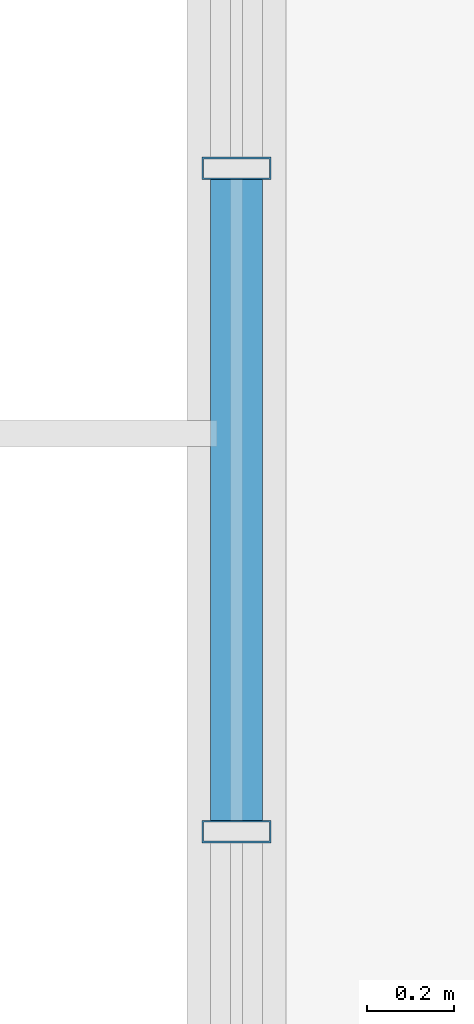
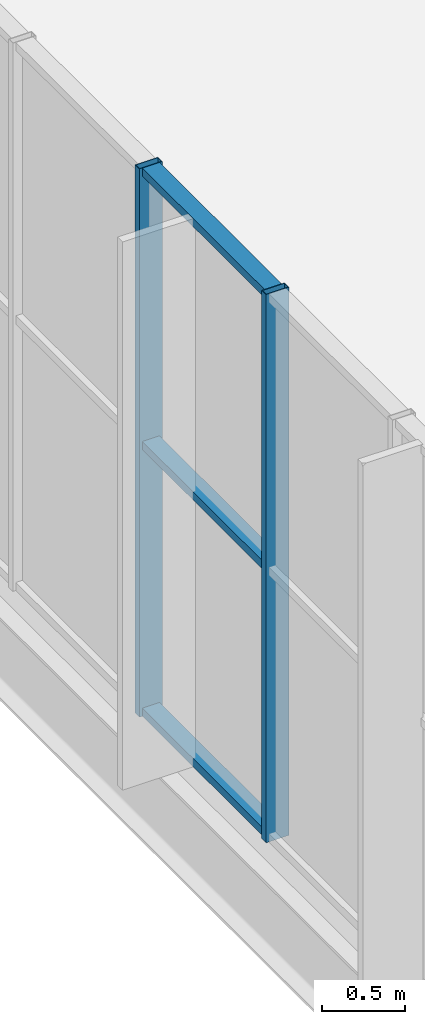
# One storey, part 42 of 324: 5 members, 1 element without a shape of its own.
"""IFC4 building model written with IfcOpenShell, lengths in metres."""

from ifc_helpers import new_model, si_unit, direction, frame, origin, origin_2d, place, context, subcontext, project, spatial, hollow_rectangle, extrude, material, layer, layer_set, material_profile, profile_set, type_object, element, aggregate, save


model = new_model("IFC4")

# Units and contexts
model_context = context("Model", 3, precision=1e-05, world=origin(), true_north=direction((0.0, 1.0)))
body_context = subcontext(model_context, "Body", "Model", "MODEL_VIEW")
ifc_project = project(units=[si_unit("LENGTHUNIT", "METRE"), si_unit("AREAUNIT", "SQUARE_METRE"), si_unit("VOLUMEUNIT", "CUBIC_METRE"), si_unit("PLANEANGLEUNIT", "RADIAN"), si_unit("MASSUNIT", "GRAM", prefix="KILO")], contexts=[model_context])

# Site, building, storey
site_placement = place(None, origin())
site = spatial("IfcSite", under=ifc_project, at=site_placement, CompositionType="ELEMENT")
building_placement = place(site_placement, origin())
building = spatial("IfcBuilding", under=site, at=building_placement, Name="Solvenia Promenade Tram Depot", CompositionType="ELEMENT")
storey_placement = place(building_placement, frame((0.0, 0.0, 4.5)))
storey = spatial("IfcBuildingStorey", under=building, at=storey_placement, Name="L01", CompositionType="ELEMENT", Elevation=4.5)

# Curtain wall, members
ifc_material = material(Name="Anodized aluminium AW-6063 T6", Category="aluminium")
ifc_layer = layer(ifc_material, 0.1201171875, Name="Anodized aluminium AW-6063 T6", Category="aluminium")
ifc_layer_set = layer_set([ifc_layer], Name="Anodized aluminium AW-6063 T6")
curtain_wall_type = type_object("IfcCurtainWallType", Name="CW-Wash-1500", PredefinedType="NOTDEFINED", material=ifc_layer_set)
curtain_wall_placement = place(storey_placement, origin())
curtain_wall = element("IfcCurtainWall", 1, at=curtain_wall_placement, inside=storey, type_object=curtain_wall_type, Name="Curtain Wall CW-V3-W-L1-3", PredefinedType="NOTDEFINED")
ifc_material_profile_1 = material_profile(ifc_material, hollow_rectangle(XDim=0.159912109375, YDim=0.052001953125, WallThickness=0.00390625, at=origin_2d()), Name="ALU-M1", Category="aluminium")
ifc_profile_set_1 = profile_set([ifc_material_profile_1], Name="Anodized aluminium AW-6063 T6")
member_type_1 = type_object("IfcMemberType", Name="CWM-Mullion-1", PredefinedType="MULLION", material=ifc_profile_set_1)
member_1_placement = place(storey_placement, frame((0.0, 56.67333984375, 0.0), z_axis=(0.0, 0.0, 1.0), x_axis=(-1.0, 0.0, 0.0)))
member_1 = element("IfcMember", 2, at=member_1_placement, type_object=member_type_1, Name="CW-10 mullion 4", PredefinedType="MULLION", context=body_context, shape_type="SweptSolid", body=[
    extrude(hollow_rectangle(XDim=0.159912109375, YDim=0.052001953125, WallThickness=0.00390625, at=origin_2d()), origin(), (0.0, 0.0, 1.0), 4.050048828125),
])
member_2_placement = place(storey_placement, frame((0.0, 58.204345703125, 0.0), z_axis=(0.0, 0.0, 1.0), x_axis=(-1.0, 0.0, 0.0)))
member_2 = element("IfcMember", 3, at=member_2_placement, type_object=member_type_1, Name="CW-10 mullion 5", PredefinedType="MULLION", context=body_context, shape_type="SweptSolid", body=[
    extrude(hollow_rectangle(XDim=0.159912109375, YDim=0.052001953125, WallThickness=0.00390625, at=origin_2d()), origin(), (0.0, 0.0, 1.0), 4.050048828125),
])
ifc_material_profile_2 = material_profile(ifc_material, hollow_rectangle(XDim=0.1201171875, YDim=0.06005859375, WallThickness=0.00390625, at=origin_2d()), Name="ALU-T1", Category="aluminium")
ifc_profile_set_2 = profile_set([ifc_material_profile_2], Name="Anodized aluminium AW-6063 T6")
member_type_2 = type_object("IfcMemberType", Name="CWT-Transom-1", PredefinedType="USERDEFINED", material=ifc_profile_set_2)
member_3_placement = place(storey_placement, frame((0.0, 56.69921875, 0.030029296875), z_axis=(0.0, 1.0, 0.0), x_axis=(-1.0, 0.0, 0.0)))
member_3 = element("IfcMember", 4, at=member_3_placement, type_object=member_type_2, Name="CW-10 transom 4.1", ObjectType="TRANSOM", PredefinedType="USERDEFINED", context=body_context, shape_type="SweptSolid", body=[
    extrude(hollow_rectangle(XDim=0.1201171875, YDim=0.06005859375, WallThickness=0.00390625, at=origin_2d()), origin(), (0.0, 0.0, 1.0), 1.479248046875),
])
member_4_placement = place(storey_placement, frame((0.0, 56.69921875, 2.0), z_axis=(0.0, 1.0, 0.0), x_axis=(-1.0, 0.0, 0.0)))
member_4 = element("IfcMember", 5, at=member_4_placement, type_object=member_type_2, Name="CW-10 transom 4.2", ObjectType="TRANSOM", PredefinedType="USERDEFINED", context=body_context, shape_type="SweptSolid", body=[
    extrude(hollow_rectangle(XDim=0.1201171875, YDim=0.06005859375, WallThickness=0.00390625, at=origin_2d()), origin(), (0.0, 0.0, 1.0), 1.479248046875),
])
member_5_placement = place(storey_placement, frame((0.0, 56.69921875, 4.02001953125), z_axis=(0.0, 1.0, 0.0), x_axis=(-1.0, 0.0, 0.0)))
member_5 = element("IfcMember", 6, at=member_5_placement, type_object=member_type_2, Name="CW-10 transom 4.3", ObjectType="TRANSOM", PredefinedType="USERDEFINED", context=body_context, shape_type="SweptSolid", body=[
    extrude(hollow_rectangle(XDim=0.1201171875, YDim=0.06005859375, WallThickness=0.00390625, at=origin_2d()), origin(), (0.0, 0.0, 1.0), 1.479248046875),
])
aggregate(curtain_wall, [member_1, member_2, member_3, member_4, member_5])

save(model, "model.ifc")
